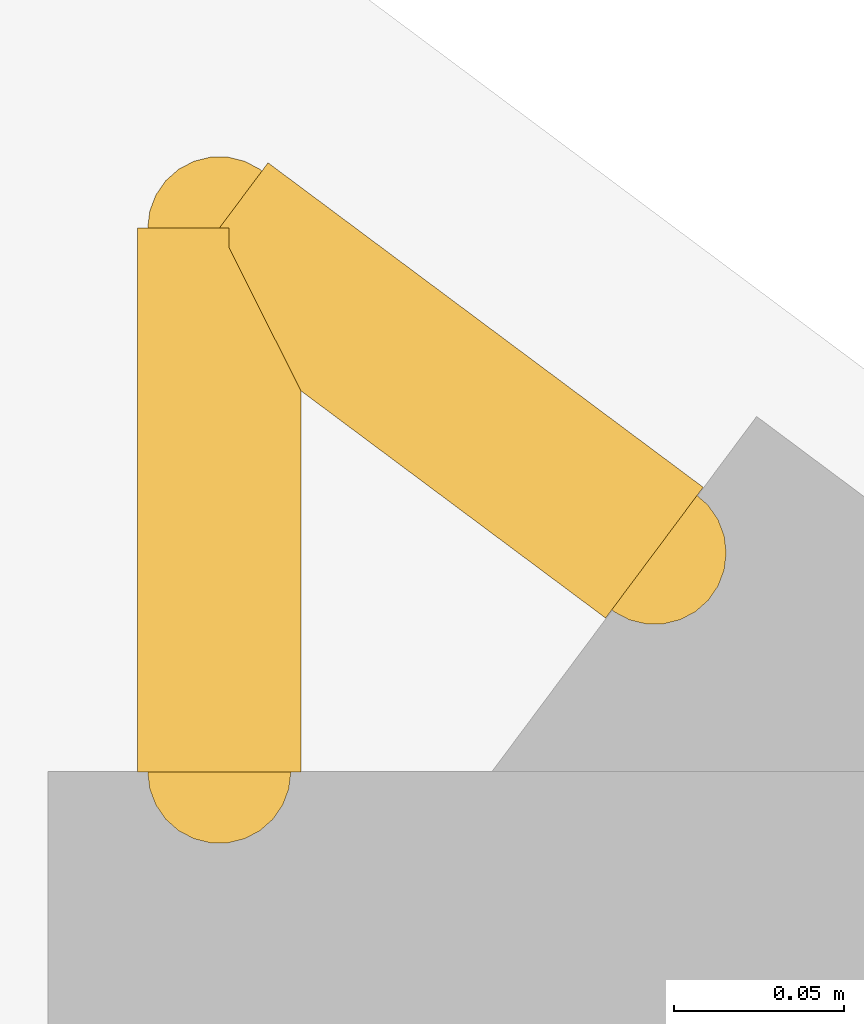
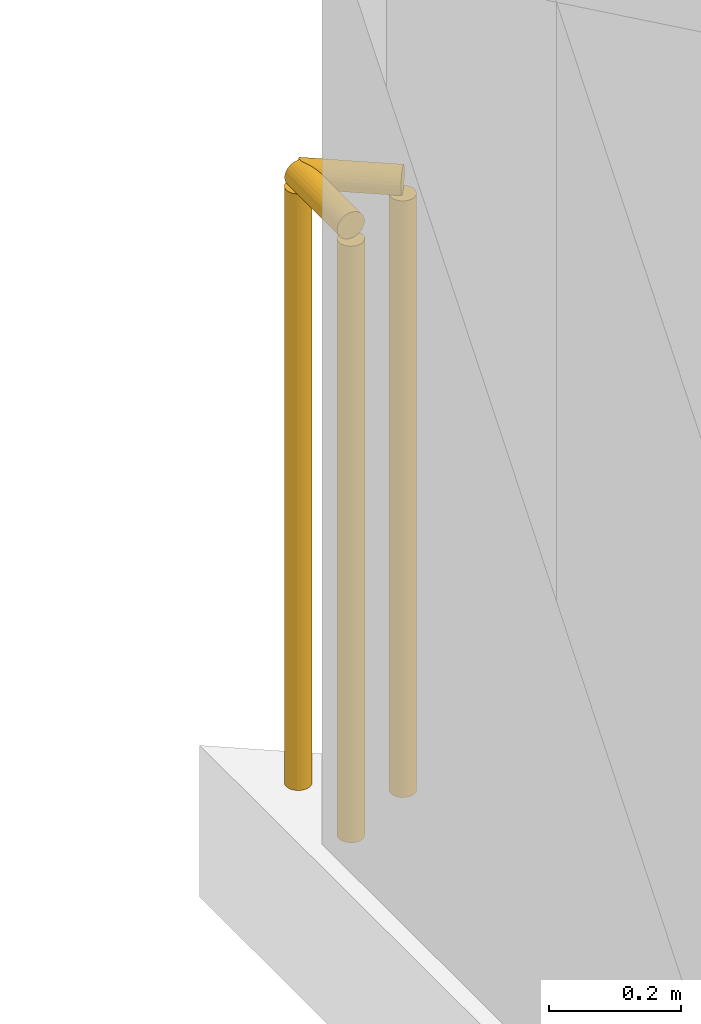
# One storey, part 15 of 15: 2 railings.
"""IFC4 building model written with IfcOpenShell, lengths in metres."""

from ifc_helpers import new_model, si_unit, direction, frame, origin, origin_2d, place, context, subcontext, project, spatial, circle, extrude, material, type_object, element, save


model = new_model("IFC4")

# Units and contexts
model_context = context("Model", 3, precision=1e-05, world=origin(), true_north=direction((0.0, 1.0)))
body_context = subcontext(model_context, "Body", "Model", "MODEL_VIEW")
ifc_project = project(units=[si_unit("LENGTHUNIT", "METRE"), si_unit("AREAUNIT", "SQUARE_METRE"), si_unit("VOLUMEUNIT", "CUBIC_METRE"), si_unit("PLANEANGLEUNIT", "RADIAN"), si_unit("MASSUNIT", "GRAM", prefix="KILO")], contexts=[model_context])

# Site, building, storey
site_placement = place(None, origin())
site = spatial("IfcSite", under=ifc_project, at=site_placement, CompositionType="ELEMENT")
building_placement = place(site_placement, origin())
building = spatial("IfcBuilding", under=site, at=building_placement, Name="Varnakote Quay Hospital", CompositionType="ELEMENT")
storey_placement = place(building_placement, frame((0.0, 0.0, 235.550048828125)))
storey = spatial("IfcBuildingStorey", under=building, at=storey_placement, Name="L58", CompositionType="ELEMENT", Elevation=235.550048828125)

# Railings
ifc_material = material(Name="Anodised aluminium 6063-T6 Bronze", Category="aluminium")
railing_type = type_object("IfcRailingType", Name="RLG-EXT-GUARD-1150", PredefinedType="GUARDRAIL", material=ifc_material)
railing_1_placement = place(storey_placement, frame((2.580078125, 41.881103515625, 0.0)))
element("IfcRailing", 1, at=railing_1_placement, inside=storey, type_object=railing_type, Name="L58 Slab Edge Perimeter Safety Guard", PredefinedType="GUARDRAIL", context=body_context, shape_type="SweptSolid", body=[
    extrude(circle(Radius=0.02392578125, at=origin_2d()), frame((0.0, 0.0, 1.1259765625), z_axis=(0.0, 1.0, 0.0), x_axis=(-1.0, 0.0, 0.0)), (0.0, 0.0, 1.0), 0.159423828125),
    extrude(circle(Radius=0.02099609375, at=origin_2d()), origin(), (0.0, 0.0, 1.0), 1.101806640625),
    extrude(circle(Radius=0.02099609375, at=origin_2d()), frame((0.0, 0.159423828125, 0.0)), (0.0, 0.0, 1.0), 1.101806640625),
])
railing_2_placement = place(storey_placement, frame((2.580078125, 42.04052734375, 0.0)))
element("IfcRailing", 2, at=railing_2_placement, inside=storey, type_object=railing_type, Name="L58 Slab Edge Perimeter Safety Guard", PredefinedType="GUARDRAIL", context=body_context, shape_type="SweptSolid", body=[
    extrude(circle(Radius=0.02392578125, at=origin_2d()), frame((0.0, 0.0, 1.1259765625), z_axis=(0.801652374907, -0.597790489892, 0.0), x_axis=(0.597790489892, 0.801652374907, 0.0)), (0.0, 0.0, 1.0), 0.1591796875),
    extrude(circle(Radius=0.02099609375, at=origin_2d()), origin(), (0.0, 0.0, 1.0), 1.101806640625),
    extrude(circle(Radius=0.02099609375, at=origin_2d()), frame((0.127685546875, -0.09521484375, 0.0)), (0.0, 0.0, 1.0), 1.101806640625),
])

save(model, "model.ifc")
